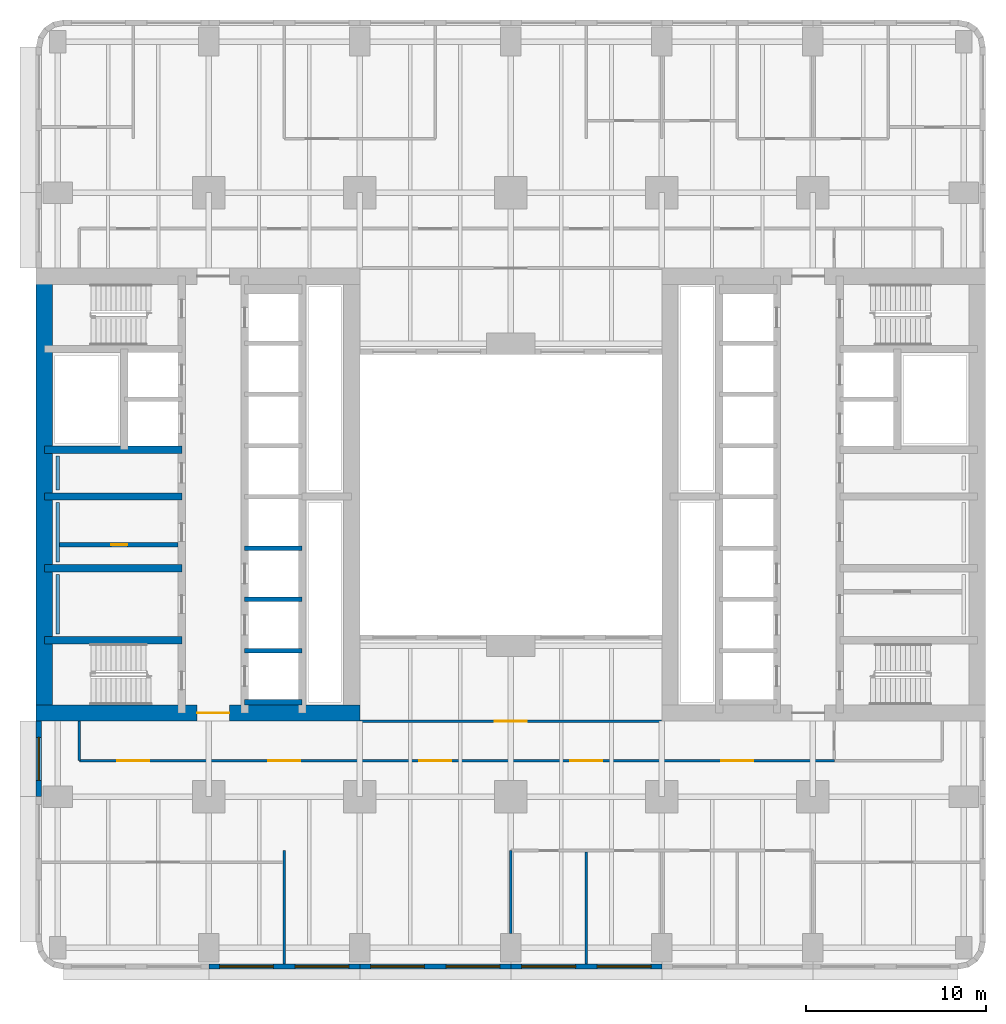
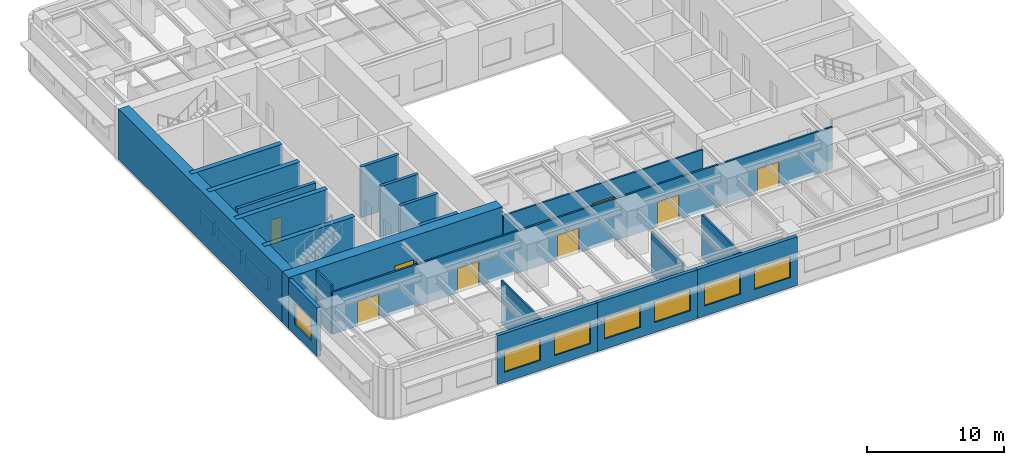
# One storey, part 3 of 14: 24 walls, 8 doors, 7 windows, 15 openings.
"""IFC4 building model written with IfcOpenShell, lengths in metres."""

from ifc_helpers import new_model, si_unit, direction, frame, frame_2d, origin, place, context, subcontext, project, spatial, rectangle, extrude, material, layer, layer_set, type_object, element, fill, save


model = new_model("IFC4")

# Units and contexts
model_context = context("Model", 3, precision=1e-05, world=origin(), true_north=direction((0.0, 1.0)))
body_context = subcontext(model_context, "Body", "Model", "MODEL_VIEW")
ifc_project = project(units=[si_unit("LENGTHUNIT", "METRE"), si_unit("AREAUNIT", "SQUARE_METRE"), si_unit("VOLUMEUNIT", "CUBIC_METRE"), si_unit("PLANEANGLEUNIT", "RADIAN"), si_unit("MASSUNIT", "GRAM", prefix="KILO")], contexts=[model_context])

# Site, building, storey
site_placement = place(None, origin())
site = spatial("IfcSite", under=ifc_project, at=site_placement, CompositionType="ELEMENT")
building_placement = place(site_placement, origin())
building = spatial("IfcBuilding", under=site, at=building_placement, Name="Claustro Exchange Tower", CompositionType="ELEMENT")
storey_placement = place(building_placement, frame((0.0, 0.0, 41.39990234375)))
storey = spatial("IfcBuildingStorey", under=building, at=storey_placement, Name="L09", CompositionType="ELEMENT", Elevation=41.39990234375)

# Walls
ifc_material_1 = material(Name="Gypsum board on steel studs", Category="steel")
ifc_layer_1 = layer(ifc_material_1, 0.14990234375)
ifc_layer_set_1 = layer_set([ifc_layer_1], Name="Gypsum board on steel studs")
wall_type_1 = type_object("IfcWallType", Name="P1 150 plasterboard partition", PredefinedType="PARTITIONING", material=ifc_layer_set_1)
wall_1_placement = place(storey_placement, frame((12.60009765625, -0.902099609375, 0.0), z_axis=(0.0, 0.0, 1.0), x_axis=(0.0, 1.0, 0.0)))
element("IfcWall", 1, at=wall_1_placement, inside=storey, type_object=wall_type_1, Name="Partition P1 L09", PredefinedType="PARTITIONING", context=body_context, shape_type="SweptSolid", body=[
    extrude(rectangle(XDim=6.302001953125, YDim=0.14990234375, at=frame_2d((3.15087890625, 0.0))), origin(), (0.0, 0.0, 1.0), 3.840087890625),
])
wall_2_placement = place(storey_placement, frame((25.199951171875, 0.799072265625, 0.0), z_axis=(0.0, 0.0, 1.0), x_axis=(0.0, 1.0, 0.0)))
element("IfcWall", 2, at=wall_2_placement, inside=storey, type_object=wall_type_1, Name="Partition P1 L09", PredefinedType="PARTITIONING", context=body_context, shape_type="SweptSolid", body=[
    extrude(rectangle(XDim=4.600830078125, YDim=0.14990234375, at=frame_2d((2.30029296875, 0.0))), origin(), (0.0, 0.0, 1.0), 3.739990234375),
])
wall_3_placement = place(storey_placement, frame((29.39990234375, -0.902099609375, 0.0), z_axis=(0.0, 0.0, 1.0), x_axis=(0.0, 1.0, 0.0)))
element("IfcWall", 3, at=wall_3_placement, inside=storey, type_object=wall_type_1, Name="Partition P1 L09", PredefinedType="PARTITIONING", context=body_context, shape_type="SweptSolid", body=[
    extrude(rectangle(XDim=6.22802734375, YDim=0.14990234375, at=frame_2d((3.114013671875, 0.0))), origin(), (0.0, 0.0, 1.0), 3.840087890625),
])

# Wall, openings, doors
wall_4_placement = place(storey_placement, frame((1.199951171875, 10.39990234375, 0.0), z_axis=(0.0, 0.0, 1.0), x_axis=(1.0, 0.0, 0.0)))
wall_4 = element("IfcWall", 4, at=wall_4_placement, inside=storey, type_object=wall_type_1, Name="Partition P1 L09", PredefinedType="PARTITIONING", context=body_context, shape_type="SweptSolid", body=[
    extrude(rectangle(XDim=42.001953125, YDim=0.14990234375, at=frame_2d((21.0009765625, 0.0))), origin(), (0.0, 0.0, 1.0), 3.739990234375),
])
opening_1_placement = place(wall_4_placement, frame((2.10009765625, 0.0, 0.0)))
opening_1 = element("IfcOpeningElement", 5, at=opening_1_placement, cuts=wall_4, Name="Opening D2", PredefinedType="OPENING", context=body_context, shape_type="SweptSolid", body=[
    extrude(rectangle(XDim=1.800048828125, YDim=2.199951171875, at=frame_2d((0.89990234375, 1.10009765625))), frame((0.0, 0.0849609375, 0.0), z_axis=(0.0, -1.0, 0.0), x_axis=(1.0, 0.0, 0.0)), (0.0, 0.0, 1.0), 0.169921875),
])
opening_2_placement = place(wall_4_placement, frame((10.5, 0.0, 0.0)))
opening_2 = element("IfcOpeningElement", 6, at=opening_2_placement, cuts=wall_4, Name="Opening D2", PredefinedType="OPENING", context=body_context, shape_type="SweptSolid", body=[
    extrude(rectangle(XDim=1.800048828125, YDim=2.199951171875, at=frame_2d((0.89990234375, 1.10009765625))), frame((0.0, 0.0849609375, 0.0), z_axis=(0.0, -1.0, 0.0), x_axis=(1.0, 0.0, 0.0)), (0.0, 0.0, 1.0), 0.169921875),
])
opening_3_placement = place(wall_4_placement, frame((18.89990234375, 0.0, 0.0)))
opening_3 = element("IfcOpeningElement", 7, at=opening_3_placement, cuts=wall_4, Name="Opening D2", PredefinedType="OPENING", context=body_context, shape_type="SweptSolid", body=[
    extrude(rectangle(XDim=1.800048828125, YDim=2.199951171875, at=frame_2d((0.89990234375, 1.10009765625))), frame((0.0, 0.0849609375, 0.0), z_axis=(0.0, -1.0, 0.0), x_axis=(1.0, 0.0, 0.0)), (0.0, 0.0, 1.0), 0.169921875),
])
opening_4_placement = place(wall_4_placement, frame((27.300048828125, 0.0, 0.0)))
opening_4 = element("IfcOpeningElement", 8, at=opening_4_placement, cuts=wall_4, Name="Opening D2", PredefinedType="OPENING", context=body_context, shape_type="SweptSolid", body=[
    extrude(rectangle(XDim=1.800048828125, YDim=2.199951171875, at=frame_2d((0.89990234375, 1.10009765625))), frame((0.0, 0.0849609375, 0.0), z_axis=(0.0, -1.0, 0.0), x_axis=(1.0, 0.0, 0.0)), (0.0, 0.0, 1.0), 0.169921875),
])
opening_5_placement = place(wall_4_placement, frame((35.699951171875, 0.0, 0.0)))
opening_5 = element("IfcOpeningElement", 9, at=opening_5_placement, cuts=wall_4, Name="Opening D2", PredefinedType="OPENING", context=body_context, shape_type="SweptSolid", body=[
    extrude(rectangle(XDim=1.800048828125, YDim=2.199951171875, at=frame_2d((0.89990234375, 1.10009765625))), frame((0.0, 0.0849609375, 0.0), z_axis=(0.0, -1.0, 0.0), x_axis=(1.0, 0.0, 0.0)), (0.0, 0.0, 1.0), 0.169921875),
])
ifc_material_2 = material(Name="Timber door, oak veneer", Category="wood")
door_type_1 = type_object("IfcDoorType", Name="D2 1800 x 2200 double door", OperationType="DOUBLE_DOOR_SINGLE_SWING", PredefinedType="DOOR", material=ifc_material_2)
door_1_placement = place(opening_1_placement, frame((1.800048828125, 0.0, 0.0), z_axis=(0.0, 0.0, 1.0), x_axis=(-1.0, 0.0, 0.0)))
door_1 = element("IfcDoor", 10, at=door_1_placement, inside=storey, type_object=door_type_1, Name="Double door D2 L09", OperationType="DOUBLE_DOOR_SINGLE_SWING", OverallHeight=2.199951171875, OverallWidth=1.800048828125, PredefinedType="DOOR", context=body_context, shape_type="SweptSolid", body=[
    extrude(rectangle(XDim=1.800048828125, YDim=2.199951171875, at=frame_2d((0.89990234375, 1.10009765625))), frame((0.0, 0.02490234375, 0.0), z_axis=(0.0, -1.0, 0.0), x_axis=(1.0, 0.0, 0.0)), (0.0, 0.0, 1.0), 0.050048828125),
])
fill(opening_1, door_1)
door_2_placement = place(opening_2_placement, frame((1.800048828125, 0.0, 0.0), z_axis=(0.0, 0.0, 1.0), x_axis=(-1.0, 0.0, 0.0)))
door_2 = element("IfcDoor", 11, at=door_2_placement, inside=storey, type_object=door_type_1, Name="Double door D2 L09", OperationType="DOUBLE_DOOR_SINGLE_SWING", OverallHeight=2.199951171875, OverallWidth=1.800048828125, PredefinedType="DOOR", context=body_context, shape_type="SweptSolid", body=[
    extrude(rectangle(XDim=1.800048828125, YDim=2.199951171875, at=frame_2d((0.89990234375, 1.10009765625))), frame((0.0, 0.02490234375, 0.0), z_axis=(0.0, -1.0, 0.0), x_axis=(1.0, 0.0, 0.0)), (0.0, 0.0, 1.0), 0.050048828125),
])
fill(opening_2, door_2)
door_3_placement = place(opening_3_placement, frame((1.800048828125, 0.0, 0.0), z_axis=(0.0, 0.0, 1.0), x_axis=(-1.0, 0.0, 0.0)))
door_3 = element("IfcDoor", 12, at=door_3_placement, inside=storey, type_object=door_type_1, Name="Double door D2 L09", OperationType="DOUBLE_DOOR_SINGLE_SWING", OverallHeight=2.199951171875, OverallWidth=1.800048828125, PredefinedType="DOOR", context=body_context, shape_type="SweptSolid", body=[
    extrude(rectangle(XDim=1.800048828125, YDim=2.199951171875, at=frame_2d((0.89990234375, 1.10009765625))), frame((0.0, 0.02490234375, 0.0), z_axis=(0.0, -1.0, 0.0), x_axis=(1.0, 0.0, 0.0)), (0.0, 0.0, 1.0), 0.050048828125),
])
fill(opening_3, door_3)
door_4_placement = place(opening_4_placement, frame((1.800048828125, 0.0, 0.0), z_axis=(0.0, 0.0, 1.0), x_axis=(-1.0, 0.0, 0.0)))
door_4 = element("IfcDoor", 13, at=door_4_placement, inside=storey, type_object=door_type_1, Name="Double door D2 L09", OperationType="DOUBLE_DOOR_SINGLE_SWING", OverallHeight=2.199951171875, OverallWidth=1.800048828125, PredefinedType="DOOR", context=body_context, shape_type="SweptSolid", body=[
    extrude(rectangle(XDim=1.800048828125, YDim=2.199951171875, at=frame_2d((0.89990234375, 1.10009765625))), frame((0.0, 0.02490234375, 0.0), z_axis=(0.0, -1.0, 0.0), x_axis=(1.0, 0.0, 0.0)), (0.0, 0.0, 1.0), 0.050048828125),
])
fill(opening_4, door_4)
door_5_placement = place(opening_5_placement, frame((1.800048828125, 0.0, 0.0), z_axis=(0.0, 0.0, 1.0), x_axis=(-1.0, 0.0, 0.0)))
door_5 = element("IfcDoor", 14, at=door_5_placement, inside=storey, type_object=door_type_1, Name="Double door D2 L09", OperationType="DOUBLE_DOOR_SINGLE_SWING", OverallHeight=2.199951171875, OverallWidth=1.800048828125, PredefinedType="DOOR", context=body_context, shape_type="SweptSolid", body=[
    extrude(rectangle(XDim=1.800048828125, YDim=2.199951171875, at=frame_2d((0.89990234375, 1.10009765625))), frame((0.0, 0.02490234375, 0.0), z_axis=(0.0, -1.0, 0.0), x_axis=(1.0, 0.0, 0.0)), (0.0, 0.0, 1.0), 0.050048828125),
])
fill(opening_5, door_5)

# Wall
wall_5_placement = place(storey_placement, frame((1.199951171875, 10.39990234375, 0.0), z_axis=(0.0, 0.0, 1.0), x_axis=(0.0, 1.0, 0.0)))
element("IfcWall", 15, at=wall_5_placement, inside=storey, type_object=wall_type_1, Name="Partition P1 L09", PredefinedType="PARTITIONING", context=body_context, shape_type="SweptSolid", body=[
    extrude(rectangle(XDim=2.2021484375, YDim=0.14990234375, at=frame_2d((1.10107421875, 0.0))), origin(), (0.0, 0.0, 1.0), 4.340087890625),
])

# Wall, opening, door
wall_6_placement = place(storey_placement, frame((16.820068359375, 12.60009765625, 0.0), z_axis=(0.0, 0.0, 1.0), x_axis=(1.0, 0.0, 0.0)))
wall_6 = element("IfcWall", 16, at=wall_6_placement, inside=storey, type_object=wall_type_1, Name="Partition P1 L09", PredefinedType="PARTITIONING", context=body_context, shape_type="SweptSolid", body=[
    extrude(rectangle(XDim=16.760009765625, YDim=0.14990234375, at=frame_2d((8.3798828125, 0.0))), origin(), (0.0, 0.0, 1.0), 3.739990234375),
])
opening_6_placement = place(wall_6_placement, frame((7.47998046875, 0.0, 0.0)))
opening_6 = element("IfcOpeningElement", 17, at=opening_6_placement, cuts=wall_6, Name="Opening D2", PredefinedType="OPENING", context=body_context, shape_type="SweptSolid", body=[
    extrude(rectangle(XDim=1.800048828125, YDim=2.199951171875, at=frame_2d((0.89990234375, 1.10009765625))), frame((0.0, 0.0849609375, 0.0), z_axis=(0.0, -1.0, 0.0), x_axis=(1.0, 0.0, 0.0)), (0.0, 0.0, 1.0), 0.169921875),
])
door_6_placement = place(opening_6_placement, frame((1.800048828125, 0.0, 0.0), z_axis=(0.0, 0.0, 1.0), x_axis=(-1.0, 0.0, 0.0)))
door_6 = element("IfcDoor", 18, at=door_6_placement, inside=storey, type_object=door_type_1, Name="Double door D2 L09", OperationType="DOUBLE_DOOR_SINGLE_SWING", OverallHeight=2.199951171875, OverallWidth=1.800048828125, PredefinedType="DOOR", context=body_context, shape_type="SweptSolid", body=[
    extrude(rectangle(XDim=1.800048828125, YDim=2.199951171875, at=frame_2d((0.89990234375, 1.10009765625))), frame((0.0, 0.02490234375, 0.0), z_axis=(0.0, -1.0, 0.0), x_axis=(1.0, 0.0, 0.0)), (0.0, 0.0, 1.0), 0.050048828125),
])
fill(opening_6, door_6)

ifc_material_3 = material(Name="Concrete blockwork, rendered", Category="masonry")
ifc_layer_2 = layer(ifc_material_3, 0.25)
ifc_layer_set_2 = layer_set([ifc_layer_2], Name="Concrete blockwork, rendered")
wall_type_2 = type_object("IfcWallType", Name="P4 250 blockwork wall", PredefinedType="PARTITIONING", material=ifc_layer_set_2)
wall_7_placement = place(storey_placement, frame((0.10009765625, 22.39990234375, 0.0), z_axis=(0.0, 0.0, 1.0), x_axis=(1.0, 0.0, 0.0)))
wall_7 = element("IfcWall", 19, at=wall_7_placement, inside=storey, type_object=wall_type_2, Name="Partition P4 L09", PredefinedType="PARTITIONING", context=body_context, shape_type="SweptSolid", body=[
    extrude(rectangle(XDim=6.599853515625, YDim=0.25, at=frame_2d((3.2998046875, 0.0))), origin(), (0.0, 0.0, 1.0), 4.300048828125),
])
opening_7_placement = place(wall_7_placement, frame((2.875, 0.0, 0.0)))
opening_7 = element("IfcOpeningElement", 20, at=opening_7_placement, cuts=wall_7, Name="Opening D5", PredefinedType="OPENING", context=body_context, shape_type="SweptSolid", body=[
    extrude(rectangle(XDim=0.89990234375, YDim=2.199951171875, at=frame_2d((0.449951171875, 1.10009765625))), frame((0.0, 0.135009765625, 0.0), z_axis=(0.0, -1.0, 0.0), x_axis=(1.0, 0.0, 0.0)), (0.0, 0.0, 1.0), 0.27001953125),
])
ifc_material_4 = material(Name="Steel door, painted", Category="steel")
door_type_2 = type_object("IfcDoorType", Name="D5 900 x 2200 store door", OperationType="SINGLE_SWING_LEFT", PredefinedType="DOOR", material=ifc_material_4)
door_7_placement = place(opening_7_placement, frame((0.89990234375, 0.0, 0.0), z_axis=(0.0, 0.0, 1.0), x_axis=(-1.0, 0.0, 0.0)))
door_7 = element("IfcDoor", 21, at=door_7_placement, inside=storey, type_object=door_type_2, Name="Store door D5 L09", OperationType="SINGLE_SWING_RIGHT", OverallHeight=2.199951171875, OverallWidth=0.89990234375, PredefinedType="DOOR", context=body_context, shape_type="SweptSolid", body=[
    extrude(rectangle(XDim=0.89990234375, YDim=2.199951171875, at=frame_2d((0.449951171875, 1.10009765625))), frame((0.0, 0.02490234375, 0.0), z_axis=(0.0, -1.0, 0.0), x_axis=(1.0, 0.0, 0.0)), (0.0, 0.0, 1.0), 0.050048828125),
])
fill(opening_7, door_7)

# Wall, openings, windows
ifc_material_5 = material(Name="Concrete HA-40 (C40/50), precast, white cement, acid-etched", Category="concrete")
ifc_layer_3 = layer(ifc_material_5, 0.300048828125)
ifc_layer_set_3 = layer_set([ifc_layer_3], Name="Concrete HA-40 (C40/50), precast, white cement, acid-etched")
wall_type_3 = type_object("IfcWallType", Name="PC1 300 precast concrete pier panel", PredefinedType="SOLIDWALL", material=ifc_layer_set_3)
wall_8_placement = place(storey_placement, frame((33.60009765625, -1.050048828125, 0.0), z_axis=(0.0, 0.0, 1.0), x_axis=(-1.0, 0.0, 0.0)))
wall_8 = element("IfcWall", 22, at=wall_8_placement, inside=storey, type_object=wall_type_3, Name="Precast pier panel PC1 L09", PredefinedType="SOLIDWALL", context=body_context, shape_type="SweptSolid", body=[
    extrude(rectangle(XDim=8.400146484375, YDim=0.300048828125, at=frame_2d((4.2001953125, 0.0))), origin(), (0.0, 0.0, 1.0), 4.340087890625),
])
opening_8_placement = place(wall_8_placement, frame((0.60009765625, 0.0, 0.89990234375)))
opening_8 = element("IfcOpeningElement", 23, at=opening_8_placement, cuts=wall_8, Name="Opening W1", PredefinedType="OPENING", context=body_context, shape_type="SweptSolid", body=[
    extrude(rectangle(XDim=3.0, YDim=1.89990234375, at=frame_2d((1.5, 0.949951171875))), frame((0.0, 0.159912109375, 0.0), z_axis=(0.0, -1.0, 0.0), x_axis=(1.0, 0.0, 0.0)), (0.0, 0.0, 1.0), 0.320068359375),
])
opening_9_placement = place(wall_8_placement, frame((4.800048828125, 0.0, 0.89990234375)))
opening_9 = element("IfcOpeningElement", 24, at=opening_9_placement, cuts=wall_8, Name="Opening W1", PredefinedType="OPENING", context=body_context, shape_type="SweptSolid", body=[
    extrude(rectangle(XDim=3.0, YDim=1.89990234375, at=frame_2d((1.5, 0.949951171875))), frame((0.0, 0.159912109375, 0.0), z_axis=(0.0, -1.0, 0.0), x_axis=(1.0, 0.0, 0.0)), (0.0, 0.0, 1.0), 0.320068359375),
])
ifc_material_6 = material(Name="Aluminium frame, clear double glazing", Category="aluminium")
window_type_1 = type_object("IfcWindowType", Name="W1 3000 x 1900 window", PartitioningType="SINGLE_PANEL", PredefinedType="WINDOW", material=ifc_material_6)
window_1_placement = place(opening_8_placement, origin())
window_1 = element("IfcWindow", 25, at=window_1_placement, inside=storey, type_object=window_type_1, Name="Window W1 L09", OverallHeight=1.89990234375, OverallWidth=3.0, PartitioningType="SINGLE_PANEL", PredefinedType="WINDOW", context=body_context, shape_type="SweptSolid", body=[
    extrude(rectangle(XDim=3.0, YDim=1.89990234375, at=frame_2d((1.5, 0.949951171875))), frame((0.0, 0.030029296875, 0.0), z_axis=(0.0, -1.0, 0.0), x_axis=(1.0, 0.0, 0.0)), (0.0, 0.0, 1.0), 0.06005859375),
])
fill(opening_8, window_1)
window_2_placement = place(opening_9_placement, origin())
window_2 = element("IfcWindow", 26, at=window_2_placement, inside=storey, type_object=window_type_1, Name="Window W1 L09", OverallHeight=1.89990234375, OverallWidth=3.0, PartitioningType="SINGLE_PANEL", PredefinedType="WINDOW", context=body_context, shape_type="SweptSolid", body=[
    extrude(rectangle(XDim=3.0, YDim=1.89990234375, at=frame_2d((1.5, 0.949951171875))), frame((0.0, 0.030029296875, 0.0), z_axis=(0.0, -1.0, 0.0), x_axis=(1.0, 0.0, 0.0)), (0.0, 0.0, 1.0), 0.06005859375),
])
fill(opening_9, window_2)

wall_9_placement = place(storey_placement, frame((25.199951171875, -1.050048828125, 0.0), z_axis=(0.0, 0.0, 1.0), x_axis=(-1.0, 0.0, 0.0)))
wall_9 = element("IfcWall", 27, at=wall_9_placement, inside=storey, type_object=wall_type_3, Name="Precast pier panel PC1 L09", PredefinedType="SOLIDWALL", context=body_context, shape_type="SweptSolid", body=[
    extrude(rectangle(XDim=8.39990234375, YDim=0.300048828125, at=frame_2d((4.199951171875, 0.0))), origin(), (0.0, 0.0, 1.0), 4.340087890625),
])
opening_10_placement = place(wall_9_placement, frame((0.60009765625, 0.0, 0.89990234375)))
opening_10 = element("IfcOpeningElement", 28, at=opening_10_placement, cuts=wall_9, Name="Opening W1", PredefinedType="OPENING", context=body_context, shape_type="SweptSolid", body=[
    extrude(rectangle(XDim=3.0, YDim=1.89990234375, at=frame_2d((1.5, 0.949951171875))), frame((0.0, 0.159912109375, 0.0), z_axis=(0.0, -1.0, 0.0), x_axis=(1.0, 0.0, 0.0)), (0.0, 0.0, 1.0), 0.320068359375),
])
opening_11_placement = place(wall_9_placement, frame((4.800048828125, 0.0, 0.89990234375)))
opening_11 = element("IfcOpeningElement", 29, at=opening_11_placement, cuts=wall_9, Name="Opening W1", PredefinedType="OPENING", context=body_context, shape_type="SweptSolid", body=[
    extrude(rectangle(XDim=3.0, YDim=1.89990234375, at=frame_2d((1.5, 0.949951171875))), frame((0.0, 0.159912109375, 0.0), z_axis=(0.0, -1.0, 0.0), x_axis=(1.0, 0.0, 0.0)), (0.0, 0.0, 1.0), 0.320068359375),
])
window_3_placement = place(opening_10_placement, origin())
window_3 = element("IfcWindow", 30, at=window_3_placement, inside=storey, type_object=window_type_1, Name="Window W1 L09", OverallHeight=1.89990234375, OverallWidth=3.0, PartitioningType="SINGLE_PANEL", PredefinedType="WINDOW", context=body_context, shape_type="SweptSolid", body=[
    extrude(rectangle(XDim=3.0, YDim=1.89990234375, at=frame_2d((1.5, 0.949951171875))), frame((0.0, 0.030029296875, 0.0), z_axis=(0.0, -1.0, 0.0), x_axis=(1.0, 0.0, 0.0)), (0.0, 0.0, 1.0), 0.06005859375),
])
fill(opening_10, window_3)
window_4_placement = place(opening_11_placement, origin())
window_4 = element("IfcWindow", 31, at=window_4_placement, inside=storey, type_object=window_type_1, Name="Window W1 L09", OverallHeight=1.89990234375, OverallWidth=3.0, PartitioningType="SINGLE_PANEL", PredefinedType="WINDOW", context=body_context, shape_type="SweptSolid", body=[
    extrude(rectangle(XDim=3.0, YDim=1.89990234375, at=frame_2d((1.5, 0.949951171875))), frame((0.0, 0.030029296875, 0.0), z_axis=(0.0, -1.0, 0.0), x_axis=(1.0, 0.0, 0.0)), (0.0, 0.0, 1.0), 0.06005859375),
])
fill(opening_11, window_4)

wall_10_placement = place(storey_placement, frame((16.800048828125, -1.050048828125, 0.0), z_axis=(0.0, 0.0, 1.0), x_axis=(-1.0, 0.0, 0.0)))
wall_10 = element("IfcWall", 32, at=wall_10_placement, inside=storey, type_object=wall_type_3, Name="Precast pier panel PC1 L09", PredefinedType="SOLIDWALL", context=body_context, shape_type="SweptSolid", body=[
    extrude(rectangle(XDim=8.400146484375, YDim=0.300048828125, at=frame_2d((4.2001953125, 0.0))), origin(), (0.0, 0.0, 1.0), 4.340087890625),
])
opening_12_placement = place(wall_10_placement, frame((0.60009765625, 0.0, 0.89990234375)))
opening_12 = element("IfcOpeningElement", 33, at=opening_12_placement, cuts=wall_10, Name="Opening W1", PredefinedType="OPENING", context=body_context, shape_type="SweptSolid", body=[
    extrude(rectangle(XDim=3.0, YDim=1.89990234375, at=frame_2d((1.5, 0.949951171875))), frame((0.0, 0.159912109375, 0.0), z_axis=(0.0, -1.0, 0.0), x_axis=(1.0, 0.0, 0.0)), (0.0, 0.0, 1.0), 0.320068359375),
])
opening_13_placement = place(wall_10_placement, frame((4.800048828125, 0.0, 0.89990234375)))
opening_13 = element("IfcOpeningElement", 34, at=opening_13_placement, cuts=wall_10, Name="Opening W1", PredefinedType="OPENING", context=body_context, shape_type="SweptSolid", body=[
    extrude(rectangle(XDim=3.0, YDim=1.89990234375, at=frame_2d((1.5, 0.949951171875))), frame((0.0, 0.159912109375, 0.0), z_axis=(0.0, -1.0, 0.0), x_axis=(1.0, 0.0, 0.0)), (0.0, 0.0, 1.0), 0.320068359375),
])
window_5_placement = place(opening_12_placement, origin())
window_5 = element("IfcWindow", 35, at=window_5_placement, inside=storey, type_object=window_type_1, Name="Window W1 L09", OverallHeight=1.89990234375, OverallWidth=3.0, PartitioningType="SINGLE_PANEL", PredefinedType="WINDOW", context=body_context, shape_type="SweptSolid", body=[
    extrude(rectangle(XDim=3.0, YDim=1.89990234375, at=frame_2d((1.5, 0.949951171875))), frame((0.0, 0.030029296875, 0.0), z_axis=(0.0, -1.0, 0.0), x_axis=(1.0, 0.0, 0.0)), (0.0, 0.0, 1.0), 0.06005859375),
])
fill(opening_12, window_5)
window_6_placement = place(opening_13_placement, origin())
window_6 = element("IfcWindow", 36, at=window_6_placement, inside=storey, type_object=window_type_1, Name="Window W1 L09", OverallHeight=1.89990234375, OverallWidth=3.0, PartitioningType="SINGLE_PANEL", PredefinedType="WINDOW", context=body_context, shape_type="SweptSolid", body=[
    extrude(rectangle(XDim=3.0, YDim=1.89990234375, at=frame_2d((1.5, 0.949951171875))), frame((0.0, 0.030029296875, 0.0), z_axis=(0.0, -1.0, 0.0), x_axis=(1.0, 0.0, 0.0)), (0.0, 0.0, 1.0), 0.06005859375),
])
fill(opening_13, window_6)

# Wall, opening, window
wall_11_placement = place(storey_placement, frame((-1.050048828125, 8.39990234375, 0.0), z_axis=(0.0, 0.0, 1.0), x_axis=(0.0, 1.0, 0.0)))
wall_11 = element("IfcWall", 37, at=wall_11_placement, inside=storey, type_object=wall_type_3, Name="Precast pier panel PC1 L09", PredefinedType="SOLIDWALL", context=body_context, shape_type="SweptSolid", body=[
    extrude(rectangle(XDim=4.2001953125, YDim=0.300048828125, at=frame_2d((2.10009765625, 0.0))), origin(), (0.0, 0.0, 1.0), 4.340087890625),
])
opening_14_placement = place(wall_11_placement, frame((0.89990234375, 0.0, 0.89990234375)))
opening_14 = element("IfcOpeningElement", 38, at=opening_14_placement, cuts=wall_11, Name="Opening W2", PredefinedType="OPENING", context=body_context, shape_type="SweptSolid", body=[
    extrude(rectangle(XDim=2.39990234375, YDim=1.89990234375, at=frame_2d((1.199951171875, 0.949951171875))), frame((0.0, 0.159912109375, 0.0), z_axis=(0.0, -1.0, 0.0), x_axis=(1.0, 0.0, 0.0)), (0.0, 0.0, 1.0), 0.320068359375),
])
ifc_material_7 = material(Name="Aluminium frame, clear double glazing", Category="aluminium")
window_type_2 = type_object("IfcWindowType", Name="W2 2400 x 1900 window", PartitioningType="SINGLE_PANEL", PredefinedType="WINDOW", material=ifc_material_7)
window_7_placement = place(opening_14_placement, origin())
window_7 = element("IfcWindow", 39, at=window_7_placement, inside=storey, type_object=window_type_2, Name="Window W2 L09", OverallHeight=1.89990234375, OverallWidth=2.39990234375, PartitioningType="SINGLE_PANEL", PredefinedType="WINDOW", context=body_context, shape_type="SweptSolid", body=[
    extrude(rectangle(XDim=2.39990234375, YDim=1.89990234375, at=frame_2d((1.199951171875, 0.949951171875))), frame((0.0, 0.030029296875, 0.0), z_axis=(0.0, -1.0, 0.0), x_axis=(1.0, 0.0, 0.0)), (0.0, 0.0, 1.0), 0.06005859375),
])
fill(opening_14, window_7)

# Walls
ifc_material_8 = material(Name="Gypsum board on steel studs, tiled", Category="steel")
ifc_layer_4 = layer(ifc_material_8, 0.199951171875)
ifc_layer_set_4 = layer_set([ifc_layer_4], Name="Gypsum board on steel studs, tiled")
wall_type_4 = type_object("IfcWallType", Name="PW1 200 WC duct wall", PredefinedType="PLUMBINGWALL", material=ifc_layer_set_4)
for number, where, z_axis, x_axis, name in (
    (40, (0.0, 17.449951171875, 0.0), (0.0, 0.0, 1.0), (0.0, 1.0, 0.0), "WC duct wall PW1 L09"),
    (41, (0.0, 21.449951171875, 0.0), (0.0, 0.0, 1.0), (0.0, 1.0, 0.0), "WC duct wall PW1 L09"),
):
    element("IfcWall", number, at=place(storey_placement, frame(where, z_axis=z_axis, x_axis=x_axis)), inside=storey, type_object=wall_type_4, Name=name, PredefinedType="PLUMBINGWALL", context=body_context, shape_type="SweptSolid", body=[
        extrude(rectangle(XDim=3.300048828125, YDim=0.199951171875, at=frame_2d((1.64990234375, 0.0))), origin(), (0.0, 0.0, 1.0), 1.2001953125),
    ])
wall_12_placement = place(storey_placement, frame((0.0, 25.449951171875, 0.0), z_axis=(0.0, 0.0, 1.0), x_axis=(0.0, 1.0, 0.0)))
element("IfcWall", 42, at=wall_12_placement, inside=storey, type_object=wall_type_4, Name="WC duct wall PW1 L09", PredefinedType="PLUMBINGWALL", context=body_context, shape_type="SweptSolid", body=[
    extrude(rectangle(XDim=1.900146484375, YDim=0.199951171875, at=frame_2d((0.9501953125, 0.0))), origin(), (0.0, 0.0, 1.0), 1.2001953125),
])

# Wall, opening, door
ifc_material_9 = material(Name="Concrete HA-70 (C70/85)", Category="concrete")
ifc_layer_5 = layer(ifc_material_9, 0.89990234375)
ifc_layer_set_5 = layer_set([ifc_layer_5], Name="Concrete HA-70 (C70/85)")
wall_type_5 = type_object("IfcWallType", Name="SW1 900 core shear wall", PredefinedType="SHEAR", material=ifc_layer_set_5)
wall_13_placement = place(storey_placement, frame((-1.199951171875, 13.050048828125, 0.0), z_axis=(0.0, 0.0, 1.0), x_axis=(1.0, 0.0, 0.0)))
wall_13 = element("IfcWall", 43, at=wall_13_placement, inside=storey, type_object=wall_type_5, Name="Core wall SW1 W core S face L09", PredefinedType="SHEAR", context=body_context, shape_type="SweptSolid", body=[
    extrude(rectangle(XDim=18.0, YDim=0.89990234375, at=frame_2d((9.0, 0.0))), origin(), (0.0, 0.0, 1.0), 4.5),
])
opening_15_placement = place(wall_13_placement, frame((8.949951171875, 0.0, 0.0)))
opening_15 = element("IfcOpeningElement", 44, at=opening_15_placement, cuts=wall_13, Name="Opening D3", PredefinedType="OPENING", context=body_context, shape_type="SweptSolid", body=[
    extrude(rectangle(XDim=1.800048828125, YDim=2.39990234375, at=frame_2d((0.89990234375, 1.199951171875))), frame((0.0, 0.4599609375, 0.0), z_axis=(0.0, -1.0, 0.0), x_axis=(1.0, 0.0, 0.0)), (0.0, 0.0, 1.0), 0.919921875),
])
ifc_material_10 = material(Name="Steel fire door, painted", Category="steel")
door_type_3 = type_object("IfcDoorType", Name="D3 1800 x 2400 fire-rated lobby double door", OperationType="DOUBLE_DOOR_SINGLE_SWING", PredefinedType="DOOR", material=ifc_material_10)
door_8_placement = place(opening_15_placement, origin())
door_8 = element("IfcDoor", 45, at=door_8_placement, inside=storey, type_object=door_type_3, Name="Lift lobby door D3 L09", OperationType="DOUBLE_DOOR_SINGLE_SWING", OverallHeight=2.39990234375, OverallWidth=1.800048828125, PredefinedType="DOOR", context=body_context, shape_type="SweptSolid", body=[
    extrude(rectangle(XDim=1.800048828125, YDim=2.39990234375, at=frame_2d((0.89990234375, 1.199951171875))), frame((0.0, 0.02490234375, 0.0), z_axis=(0.0, -1.0, 0.0), x_axis=(1.0, 0.0, 0.0)), (0.0, 0.0, 1.0), 0.050048828125),
])
fill(opening_15, door_8)

# Walls
ifc_material_11 = material(Name="Concrete HA-70 (C70/85)", Category="concrete")
ifc_layer_6 = layer(ifc_material_11, 0.89990234375)
ifc_layer_set_6 = layer_set([ifc_layer_6], Name="Concrete HA-70 (C70/85)")
wall_type_6 = type_object("IfcWallType", Name="SW1X 900 exposed core shear wall, board-marked face", PredefinedType="SHEAR", material=ifc_layer_set_6)
wall_14_placement = place(storey_placement, frame((-0.75, 13.050048828125, 0.0), z_axis=(0.0, 0.0, 1.0), x_axis=(0.0, 1.0, 0.0)))
element("IfcWall", 46, at=wall_14_placement, inside=storey, type_object=wall_type_6, Name="Core wall SW1X W core W face L09", PredefinedType="SHEAR", context=body_context, shape_type="SweptSolid", body=[
    extrude(rectangle(XDim=24.300048828125, YDim=0.89990234375, at=frame_2d((12.14990234375, 0.0))), origin(), (0.0, 0.0, 1.0), 4.5),
])
ifc_material_12 = material(Name="Concrete HA-50 (C50/60)", Category="concrete")
ifc_layer_7 = layer(ifc_material_12, 0.39990234375)
ifc_layer_set_7 = layer_set([ifc_layer_7], Name="Concrete HA-50 (C50/60)")
wall_type_7 = type_object("IfcWallType", Name="SW4 400 internal core wall", PredefinedType="SHEAR", material=ifc_layer_set_7)
for number, where, z_axis, x_axis, name in (
    (47, (-0.75, 17.10009765625, 0.0), (0.0, 0.0, 1.0), (1.0, 0.0, 0.0), "Internal core wall SW4 W core L09"),
    (48, (-0.75, 21.10009765625, 0.0), (0.0, 0.0, 1.0), (1.0, 0.0, 0.0), "Internal core wall SW4 W core L09"),
    (49, (-0.75, 25.10009765625, 0.0), (0.0, 0.0, 1.0), (1.0, 0.0, 0.0), "Internal core wall SW4 W core L09"),
    (50, (-0.75, 27.699951171875, 0.0), (0.0, 0.0, 1.0), (1.0, 0.0, 0.0), "Internal core wall SW4 W core L09"),
):
    element("IfcWall", number, at=place(storey_placement, frame(where, z_axis=z_axis, x_axis=x_axis)), inside=storey, type_object=wall_type_7, Name=name, PredefinedType="SHEAR", context=body_context, shape_type="SweptSolid", body=[
        extrude(rectangle(XDim=7.64990234375, YDim=0.39990234375, at=frame_2d((3.824951171875, 0.0))), origin(), (0.0, 0.0, 1.0), 4.5),
    ])
ifc_material_13 = material(Name="Concrete HA-50 (C50/60)", Category="concrete")
ifc_layer_8 = layer(ifc_material_13, 0.25)
ifc_layer_set_8 = layer_set([ifc_layer_8], Name="Concrete HA-50 (C50/60)")
wall_type_8 = type_object("IfcWallType", Name="SW5 250 lift shaft divider wall", PredefinedType="SHEAR", material=ifc_layer_set_8)
for number, where, z_axis, x_axis, name in (
    (51, (10.39990234375, 16.52490234375, 0.0), (0.0, 0.0, 1.0), (1.0, 0.0, 0.0), "Lift shaft wall W core L09"),
    (52, (10.39990234375, 19.375, 0.0), (0.0, 0.0, 1.0), (1.0, 0.0, 0.0), "Lift shaft wall W core L09"),
    (53, (10.39990234375, 22.22509765625, 0.0), (0.0, 0.0, 1.0), (1.0, 0.0, 0.0), "Lift shaft wall W core L09"),
):
    element("IfcWall", number, at=place(storey_placement, frame(where, z_axis=z_axis, x_axis=x_axis)), inside=storey, type_object=wall_type_8, Name=name, PredefinedType="SHEAR", context=body_context, shape_type="SweptSolid", body=[
        extrude(rectangle(XDim=3.2001953125, YDim=0.25, at=frame_2d((1.60009765625, 0.0))), origin(), (0.0, 0.0, 1.0), 4.5),
    ])
ifc_material_14 = material(Name="Concrete HA-50 (C50/60)", Category="concrete")
ifc_layer_9 = layer(ifc_material_14, 0.300048828125)
ifc_layer_set_9 = layer_set([ifc_layer_9], Name="Concrete HA-50 (C50/60)")
wall_type_9 = type_object("IfcWallType", Name="SW6A 300 lift shaft end wall", PredefinedType="SHEAR", material=ifc_layer_set_9)
wall_15_placement = place(storey_placement, frame((10.39990234375, 13.64990234375, 0.0), z_axis=(0.0, 0.0, 1.0), x_axis=(1.0, 0.0, 0.0)))
element("IfcWall", 54, at=wall_15_placement, inside=storey, type_object=wall_type_9, Name="Lift shaft wall W core L09", PredefinedType="SHEAR", context=body_context, shape_type="SweptSolid", body=[
    extrude(rectangle(XDim=3.2001953125, YDim=0.300048828125, at=frame_2d((1.60009765625, 0.0))), origin(), (0.0, 0.0, 1.0), 4.5),
])

save(model, "model.ifc")
